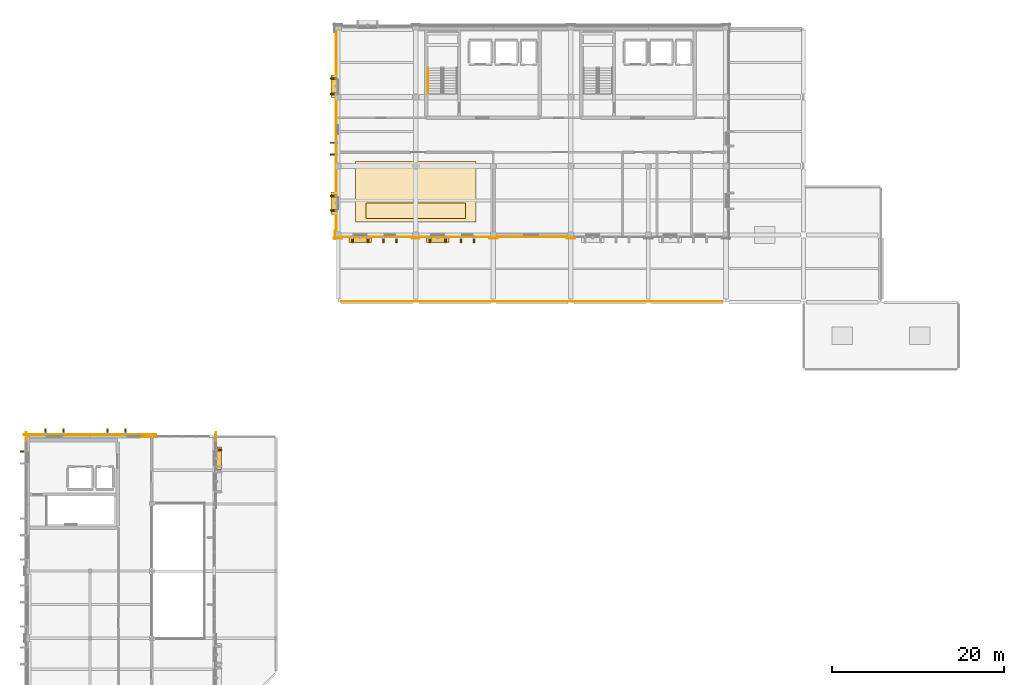
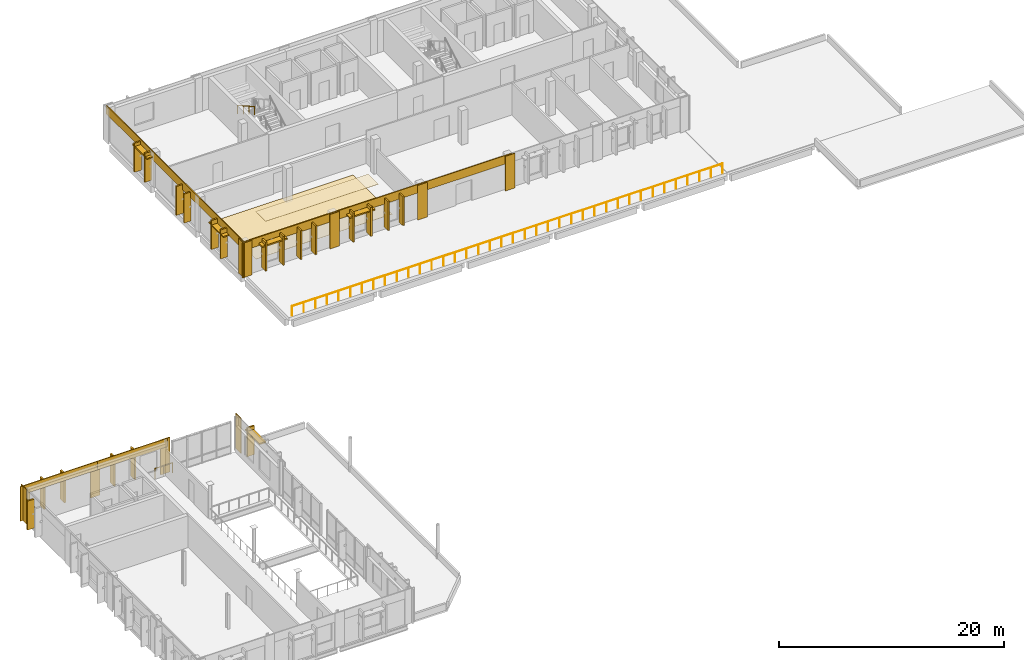
# One storey, part 19 of 23: 25 shading devices, 18 coverings, 3 railings.
"""IFC4 building model written with IfcOpenShell, lengths in metres."""

from ifc_helpers import new_model, si_unit, direction, frame, origin, origin_2d, place, context, subcontext, project, spatial, polyline, rectangle, circle, outline, extrude, material, layer, layer_set, type_object, element, save


model = new_model("IFC4")

# Units and contexts
model_context = context("Model", 3, precision=1e-05, world=origin(), true_north=direction((0.0, 1.0)))
body_context = subcontext(model_context, "Body", "Model", "MODEL_VIEW")
ifc_project = project(units=[si_unit("LENGTHUNIT", "METRE"), si_unit("AREAUNIT", "SQUARE_METRE"), si_unit("VOLUMEUNIT", "CUBIC_METRE"), si_unit("PLANEANGLEUNIT", "RADIAN"), si_unit("MASSUNIT", "GRAM", prefix="KILO")], contexts=[model_context])

# Site, building, storey
site_placement = place(None, origin())
site = spatial("IfcSite", under=ifc_project, at=site_placement, CompositionType="ELEMENT")
building_placement = place(site_placement, origin())
building = spatial("IfcBuilding", under=site, at=building_placement, Name="Vervanel Yard Central Library", CompositionType="ELEMENT")
storey_placement = place(building_placement, frame((0.0, 0.0, 16.52001953125)))
storey = spatial("IfcBuildingStorey", under=building, at=storey_placement, Name="L04", CompositionType="ELEMENT", Elevation=16.52001953125)

# Railing
ifc_material_1 = material(Name="Brushed stainless steel AISI 316", Category="steel")
railing_type_1 = type_object("IfcRailingType", Name="Brushed Stainless Stair Handrail 900", PredefinedType="HANDRAIL", material=ifc_material_1)
railing_1_placement = place(storey_placement, frame((46.43994140625, 109.39990234375, 2.0400390625)))
element("IfcRailing", 1, at=railing_1_placement, inside=storey, type_object=railing_type_1, Name="L04 ST-01 stair handrail 2", PredefinedType="HANDRAIL", context=body_context, shape_type="SweptSolid", body=[
    extrude(circle(Radius=0.02392578125, at=origin_2d()), frame((0.0, 0.0, 0.8759765625), z_axis=(0.0, -0.870028259722, 0.493001853226), x_axis=(1.0, 0.0, 0.0)), (0.0, 0.0, 1.0), 3.4482421875),
    extrude(circle(Radius=0.02099609375, at=origin_2d()), origin(), (0.0, 0.0, 1.0), 0.851806640625),
    extrude(circle(Radius=0.02099609375, at=origin_2d()), frame((0.0, -1.0, 0.566650390625)), (0.0, 0.0, 1.0), 0.851806640625),
    extrude(circle(Radius=0.02099609375, at=origin_2d()), frame((0.0, -2.0, 1.13330078125)), (0.0, 0.0, 1.0), 0.851806640625),
    extrude(circle(Radius=0.02099609375, at=origin_2d()), frame((0.0, -3.0, 1.699951171875)), (0.0, 0.0, 1.0), 0.851806640625),
])

# Coverings
ifc_material_2 = material(Name="Precast concrete C45/55", Category="concrete")
ifc_layer_1 = layer(ifc_material_2, 0.0849609375, Category="concrete")
ifc_layer_set_1 = layer_set([ifc_layer_1], Name="Precast concrete C45/55")
covering_type_1 = type_object("IfcCoveringType", Name="Bush-Hammered Precast Architectural Cladding Panel", PredefinedType="CLADDING", material=ifc_layer_set_1)
covering_1_placement = place(storey_placement, frame((40.5, 89.760009765625, 2.840087890625), z_axis=(0.0, 0.0, 1.0), x_axis=(1.0, 0.0, 0.0)))
element("IfcCovering", 2, at=covering_1_placement, inside=storey, type_object=covering_type_1, Name="L04 Precast Concrete Spandrel Cornice EWALL-L04-0065", PredefinedType="CLADDING", context=body_context, shape_type="SweptSolid", body=[
    extrude(rectangle(XDim=9.449951171875, YDim=0.0849609375, at=origin_2d()), origin(), (0.0, 0.0, 1.0), 0.919921875),
])
for number, where, z_axis, x_axis, name in (
    (3, (36.0, 89.632568359375, 0.0), (0.0, 0.0, 1.0), (1.0, 0.0, 0.0), "L04 Precast Concrete Pier Pilaster EWALL-L04-0065-A"),
    (4, (45.0, 89.632568359375, 0.0), (0.0, 0.0, 1.0), (1.0, 0.0, 0.0), "L04 Precast Concrete Pier Pilaster EWALL-L04-0065-B"),
):
    element("IfcCovering", number, at=place(storey_placement, frame(where, z_axis=z_axis, x_axis=x_axis)), inside=storey, type_object=covering_type_1, Name=name, PredefinedType="CLADDING", context=body_context, shape_type="SweptSolid", body=[
        extrude(rectangle(XDim=0.97998046875, YDim=0.0849609375, at=origin_2d()), origin(), (0.0, 0.0, 1.0), 3.760009765625),
    ])
covering_2_placement = place(storey_placement, frame((49.5, 89.760009765625, 2.840087890625), z_axis=(0.0, 0.0, 1.0), x_axis=(1.0, 0.0, 0.0)))
element("IfcCovering", 5, at=covering_2_placement, inside=storey, type_object=covering_type_1, Name="L04 Precast Concrete Spandrel Cornice EWALL-L04-0066", PredefinedType="CLADDING", context=body_context, shape_type="SweptSolid", body=[
    extrude(rectangle(XDim=9.449951171875, YDim=0.0849609375, at=origin_2d()), origin(), (0.0, 0.0, 1.0), 0.919921875),
])
covering_3_placement = place(storey_placement, frame((54.0, 89.632568359375, 0.0), z_axis=(0.0, 0.0, 1.0), x_axis=(1.0, 0.0, 0.0)))
element("IfcCovering", 6, at=covering_3_placement, inside=storey, type_object=covering_type_1, Name="L04 Precast Concrete Pier Pilaster EWALL-L04-0066-B", PredefinedType="CLADDING", context=body_context, shape_type="SweptSolid", body=[
    extrude(rectangle(XDim=0.97998046875, YDim=0.0849609375, at=origin_2d()), origin(), (0.0, 0.0, 1.0), 3.760009765625),
])
covering_4_placement = place(storey_placement, frame((58.5, 89.760009765625, 2.840087890625), z_axis=(0.0, 0.0, 1.0), x_axis=(1.0, 0.0, 0.0)))
element("IfcCovering", 7, at=covering_4_placement, inside=storey, type_object=covering_type_1, Name="L04 Precast Concrete Spandrel Cornice EWALL-L04-0067", PredefinedType="CLADDING", context=body_context, shape_type="SweptSolid", body=[
    extrude(rectangle(XDim=9.449951171875, YDim=0.0849609375, at=origin_2d()), origin(), (0.0, 0.0, 1.0), 0.919921875),
])
covering_5_placement = place(storey_placement, frame((63.0, 89.632568359375, 0.0), z_axis=(0.0, 0.0, 1.0), x_axis=(1.0, 0.0, 0.0)))
element("IfcCovering", 8, at=covering_5_placement, inside=storey, type_object=covering_type_1, Name="L04 Precast Concrete Pier Pilaster EWALL-L04-0067-B", PredefinedType="CLADDING", context=body_context, shape_type="SweptSolid", body=[
    extrude(rectangle(XDim=0.97998046875, YDim=0.0849609375, at=origin_2d()), origin(), (0.0, 0.0, 1.0), 3.760009765625),
])
covering_6_placement = place(storey_placement, frame((35.760009765625, 102.0, 2.840087890625), z_axis=(0.0, 0.0, 1.0), x_axis=(0.0, 1.0, 0.0)))
element("IfcCovering", 9, at=covering_6_placement, inside=storey, type_object=covering_type_1, Name="L04 Precast Concrete Spandrel Cornice EWALL-L04-0070", PredefinedType="CLADDING", context=body_context, shape_type="SweptSolid", body=[
    extrude(rectangle(XDim=24.449951171875, YDim=0.0849609375, at=origin_2d()), origin(), (0.0, 0.0, 1.0), 0.919921875),
])
for number, where, z_axis, x_axis, name in (
    (10, (35.632568359375, 90.0, 0.0), (0.0, 0.0, 1.0), (0.0, 1.0, 0.0), "L04 Precast Concrete Pier Pilaster EWALL-L04-0070-A"),
    (11, (-0.21240234375, 66.60009765625, 0.0), (0.0, 0.0, 1.0), (0.0, 1.0, 0.0), "L04 Precast Concrete Pier Pilaster EWALL-L04-0145-B"),
    (12, (21.8203125, 66.60009765625, 0.0), (0.0, 0.0, 1.0), (0.0, 1.0, 0.0), "L04 Precast Concrete Pier Pilaster EWALL-L04-0147-B"),
):
    element("IfcCovering", number, at=place(storey_placement, frame(where, z_axis=z_axis, x_axis=x_axis)), inside=storey, type_object=covering_type_1, Name=name, PredefinedType="CLADDING", context=body_context, shape_type="SweptSolid", body=[
        extrude(rectangle(XDim=0.97998046875, YDim=0.0849609375, at=origin_2d()), origin(), (0.0, 0.0, 1.0), 3.760009765625),
    ])
covering_7_placement = place(storey_placement, frame((3.60009765625, 66.81005859375, 2.840087890625), z_axis=(0.0, 0.0, 1.0), x_axis=(1.0, 0.0, 0.0)))
element("IfcCovering", 13, at=covering_7_placement, inside=storey, type_object=covering_type_1, Name="L04 Precast Concrete Spandrel Cornice EWALL-L04-0148", PredefinedType="CLADDING", context=body_context, shape_type="SweptSolid", body=[
    extrude(rectangle(XDim=7.64990234375, YDim=0.0849609375, at=origin_2d()), origin(), (0.0, 0.0, 1.0), 0.919921875),
])
for number, where, z_axis, x_axis, name in (
    (14, (0.0, 66.8125, 0.0), (0.0, 0.0, 1.0), (1.0, 0.0, 0.0), "L04 Precast Concrete Pier Pilaster EWALL-L04-0148-A"),
    (15, (7.199951171875, 66.8125, 0.0), (0.0, 0.0, 1.0), (1.0, 0.0, 0.0), "L04 Precast Concrete Pier Pilaster EWALL-L04-0148-B"),
):
    element("IfcCovering", number, at=place(storey_placement, frame(where, z_axis=z_axis, x_axis=x_axis)), inside=storey, type_object=covering_type_1, Name=name, PredefinedType="CLADDING", context=body_context, shape_type="SweptSolid", body=[
        extrude(rectangle(XDim=0.97998046875, YDim=0.0849609375, at=origin_2d()), origin(), (0.0, 0.0, 1.0), 3.760009765625),
    ])
covering_8_placement = place(storey_placement, frame((10.800048828125, 66.81005859375, 2.840087890625), z_axis=(0.0, 0.0, 1.0), x_axis=(1.0, 0.0, 0.0)))
element("IfcCovering", 16, at=covering_8_placement, inside=storey, type_object=covering_type_1, Name="L04 Precast Concrete Spandrel Cornice EWALL-L04-0150", PredefinedType="CLADDING", context=body_context, shape_type="SweptSolid", body=[
    extrude(rectangle(XDim=7.64990234375, YDim=0.0849609375, at=origin_2d()), origin(), (0.0, 0.0, 1.0), 0.919921875),
])
covering_9_placement = place(storey_placement, frame((14.39990234375, 66.8203125, 0.0), z_axis=(0.0, 0.0, 1.0), x_axis=(1.0, 0.0, 0.0)))
element("IfcCovering", 17, at=covering_9_placement, inside=storey, type_object=covering_type_1, Name="L04 Precast Concrete Pier Pilaster EWALL-L04-0150-B", PredefinedType="CLADDING", context=body_context, shape_type="SweptSolid", body=[
    extrude(rectangle(XDim=0.97998046875, YDim=0.0849609375, at=origin_2d()), origin(), (0.0, 0.0, 1.0), 3.760009765625),
])

# Railings
railing_type_2 = type_object("IfcRailingType", Name="Exterior Terrace Guardrail 1100", PredefinedType="GUARDRAIL", material=ifc_material_1)
railing_2_placement = place(storey_placement, frame((36.3798828125, 82.280029296875, 0.0)))
element("IfcRailing", 18, at=railing_2_placement, inside=storey, type_object=railing_type_2, Name="L04 L04 Scholars Court Overlook Roof Terrace Edge Guard 33", PredefinedType="GUARDRAIL", context=body_context, shape_type="SweptSolid", body=[
    extrude(circle(Radius=0.02392578125, at=origin_2d()), frame((0.0, 0.0, 1.076171875), z_axis=(1.0, 0.0, 0.0), x_axis=(0.0, 1.0, 0.0)), (0.0, 0.0, 1.0), 44.240234375),
    extrude(circle(Radius=0.02099609375, at=origin_2d()), origin(), (0.0, 0.0, 1.0), 1.052001953125),
    extrude(circle(Radius=0.02099609375, at=origin_2d()), frame((1.19580078125, 0.0, 0.0)), (0.0, 0.0, 1.0), 1.052001953125),
    extrude(circle(Radius=0.02099609375, at=origin_2d()), frame((2.391357421875, 0.0, 0.0)), (0.0, 0.0, 1.0), 1.052001953125),
    extrude(circle(Radius=0.02099609375, at=origin_2d()), frame((3.587158203125, 0.0, 0.0)), (0.0, 0.0, 1.0), 1.052001953125),
    extrude(circle(Radius=0.02099609375, at=origin_2d()), frame((4.78271484375, 0.0, 0.0)), (0.0, 0.0, 1.0), 1.052001953125),
    extrude(circle(Radius=0.02099609375, at=origin_2d()), frame((5.978515625, 0.0, 0.0)), (0.0, 0.0, 1.0), 1.052001953125),
    extrude(circle(Radius=0.02099609375, at=origin_2d()), frame((7.174072265625, 0.0, 0.0)), (0.0, 0.0, 1.0), 1.052001953125),
    extrude(circle(Radius=0.02099609375, at=origin_2d()), frame((8.369873046875, 0.0, 0.0)), (0.0, 0.0, 1.0), 1.052001953125),
    extrude(circle(Radius=0.02099609375, at=origin_2d()), frame((9.5654296875, 0.0, 0.0)), (0.0, 0.0, 1.0), 1.052001953125),
    extrude(circle(Radius=0.02099609375, at=origin_2d()), frame((10.76123046875, 0.0, 0.0)), (0.0, 0.0, 1.0), 1.052001953125),
    extrude(circle(Radius=0.02099609375, at=origin_2d()), frame((11.956787109375, 0.0, 0.0)), (0.0, 0.0, 1.0), 1.052001953125),
    extrude(circle(Radius=0.02099609375, at=origin_2d()), frame((13.152587890625, 0.0, 0.0)), (0.0, 0.0, 1.0), 1.052001953125),
    extrude(circle(Radius=0.02099609375, at=origin_2d()), frame((14.34814453125, 0.0, 0.0)), (0.0, 0.0, 1.0), 1.052001953125),
    extrude(circle(Radius=0.02099609375, at=origin_2d()), frame((15.5439453125, 0.0, 0.0)), (0.0, 0.0, 1.0), 1.052001953125),
    extrude(circle(Radius=0.02099609375, at=origin_2d()), frame((16.739501953125, 0.0, 0.0)), (0.0, 0.0, 1.0), 1.052001953125),
    extrude(circle(Radius=0.02099609375, at=origin_2d()), frame((17.935302734375, 0.0, 0.0)), (0.0, 0.0, 1.0), 1.052001953125),
    extrude(circle(Radius=0.02099609375, at=origin_2d()), frame((19.130859375, 0.0, 0.0)), (0.0, 0.0, 1.0), 1.052001953125),
    extrude(circle(Radius=0.02099609375, at=origin_2d()), frame((20.32666015625, 0.0, 0.0)), (0.0, 0.0, 1.0), 1.052001953125),
    extrude(circle(Radius=0.02099609375, at=origin_2d()), frame((21.522216796875, 0.0, 0.0)), (0.0, 0.0, 1.0), 1.052001953125),
    extrude(circle(Radius=0.02099609375, at=origin_2d()), frame((22.718017578125, 0.0, 0.0)), (0.0, 0.0, 1.0), 1.052001953125),
    extrude(circle(Radius=0.02099609375, at=origin_2d()), frame((23.91357421875, 0.0, 0.0)), (0.0, 0.0, 1.0), 1.052001953125),
    extrude(circle(Radius=0.02099609375, at=origin_2d()), frame((25.109375, 0.0, 0.0)), (0.0, 0.0, 1.0), 1.052001953125),
    extrude(circle(Radius=0.02099609375, at=origin_2d()), frame((26.304931640625, 0.0, 0.0)), (0.0, 0.0, 1.0), 1.052001953125),
    extrude(circle(Radius=0.02099609375, at=origin_2d()), frame((27.500732421875, 0.0, 0.0)), (0.0, 0.0, 1.0), 1.052001953125),
    extrude(circle(Radius=0.02099609375, at=origin_2d()), frame((28.6962890625, 0.0, 0.0)), (0.0, 0.0, 1.0), 1.052001953125),
    extrude(circle(Radius=0.02099609375, at=origin_2d()), frame((29.89208984375, 0.0, 0.0)), (0.0, 0.0, 1.0), 1.052001953125),
    extrude(circle(Radius=0.02099609375, at=origin_2d()), frame((31.087646484375, 0.0, 0.0)), (0.0, 0.0, 1.0), 1.052001953125),
    extrude(circle(Radius=0.02099609375, at=origin_2d()), frame((32.283447265625, 0.0, 0.0)), (0.0, 0.0, 1.0), 1.052001953125),
    extrude(circle(Radius=0.02099609375, at=origin_2d()), frame((33.47900390625, 0.0, 0.0)), (0.0, 0.0, 1.0), 1.052001953125),
    extrude(circle(Radius=0.02099609375, at=origin_2d()), frame((34.6748046875, 0.0, 0.0)), (0.0, 0.0, 1.0), 1.052001953125),
    extrude(circle(Radius=0.02099609375, at=origin_2d()), frame((35.870361328125, 0.0, 0.0)), (0.0, 0.0, 1.0), 1.052001953125),
    extrude(circle(Radius=0.02099609375, at=origin_2d()), frame((37.066162109375, 0.0, 0.0)), (0.0, 0.0, 1.0), 1.052001953125),
    extrude(circle(Radius=0.02099609375, at=origin_2d()), frame((38.26171875, 0.0, 0.0)), (0.0, 0.0, 1.0), 1.052001953125),
    extrude(circle(Radius=0.02099609375, at=origin_2d()), frame((39.45751953125, 0.0, 0.0)), (0.0, 0.0, 1.0), 1.052001953125),
    extrude(circle(Radius=0.02099609375, at=origin_2d()), frame((40.653076171875, 0.0, 0.0)), (0.0, 0.0, 1.0), 1.052001953125),
    extrude(circle(Radius=0.02099609375, at=origin_2d()), frame((41.848876953125, 0.0, 0.0)), (0.0, 0.0, 1.0), 1.052001953125),
    extrude(circle(Radius=0.02099609375, at=origin_2d()), frame((43.04443359375, 0.0, 0.0)), (0.0, 0.0, 1.0), 1.052001953125),
    extrude(circle(Radius=0.02099609375, at=origin_2d()), frame((44.240234375, 0.0, 0.0)), (0.0, 0.0, 1.0), 1.052001953125),
])
railing_type_3 = type_object("IfcRailingType", Name="Glazed Atrium & Gallery Balustrade 1120", PredefinedType="BALUSTRADE", material=ifc_material_1)
railing_3_placement = place(storey_placement, frame((13.199951171875, 66.5400390625, 0.0)))
element("IfcRailing", 19, at=railing_3_placement, inside=storey, type_object=railing_type_3, Name="L04 Perimeter Gap Guard V2-L04-N-GAP1", PredefinedType="BALUSTRADE", context=body_context, shape_type="SweptSolid", body=[
    extrude(circle(Radius=0.02392578125, at=origin_2d()), frame((0.0, 0.0, 1.09619140625), z_axis=(1.0, 0.0, 0.0), x_axis=(0.0, 1.0, 0.0)), (0.0, 0.0, 1.0), 1.800048828125),
    extrude(circle(Radius=0.02099609375, at=origin_2d()), origin(), (0.0, 0.0, 1.0), 1.072021484375),
    extrude(circle(Radius=0.02099609375, at=origin_2d()), frame((0.89990234375, 0.0, 0.0)), (0.0, 0.0, 1.0), 1.072021484375),
    extrude(circle(Radius=0.02099609375, at=origin_2d()), frame((1.800048828125, 0.0, 0.0)), (0.0, 0.0, 1.0), 1.072021484375),
])

# Shading devices
shading_device_type_1 = type_object("IfcShadingDeviceType", Name="Horizontal Precast Brise-Soleil Sunhood 2600x680x140", PredefinedType="JALOUSIE", material=ifc_material_2)
for number, where, z_axis, x_axis, name in (
    (20, (38.550048828125, 89.4599609375, 2.97998046875), (0.0, 0.0, 1.0), (1.0, 0.0, 0.0), "L04 Precast Horizontal Sunhood 26"),
    (21, (47.550048828125, 89.4599609375, 2.97998046875), (0.0, 0.0, 1.0), (1.0, 0.0, 0.0), "L04 Precast Horizontal Sunhood 27"),
    (22, (35.47998046875, 93.675048828125, 2.830078125), (0.0, 0.0, 1.0), (0.0, 1.0, 0.0), "L04 Precast Horizontal Sunhood 30"),
    (23, (35.47998046875, 107.25, 3.080078125), (0.0, 0.0, 1.0), (0.0, 1.0, 0.0), "L04 Precast Horizontal Sunhood 31"),
    (24, (22.1201171875, 64.10009765625, 2.93017578125), (0.0, 0.0, 1.0), (0.0, 1.0, 0.0), "L04 Precast Horizontal Sunhood 90"),
):
    element("IfcShadingDevice", number, at=place(storey_placement, frame(where, z_axis=z_axis, x_axis=x_axis)), inside=storey, type_object=shading_device_type_1, Name=name, PredefinedType="JALOUSIE", context=body_context, shape_type="SweptSolid", body=[
        extrude(rectangle(XDim=2.60009765625, YDim=0.679931640625, at=origin_2d()), origin(), (0.0, 0.0, 1.0), 0.139892578125),
    ])

# Coverings
ifc_material_3 = material(Name="Polished river-stone terrazzo flooring", Category="masonry")
ifc_layer_2 = layer(ifc_material_3, 0.02490234375, Category="masonry")
ifc_layer_set_2 = layer_set([ifc_layer_2], Name="Polished river-stone terrazzo flooring")
covering_type_2 = type_object("IfcCoveringType", Name="Polished River-Stone Terrazzo Flooring 25", PredefinedType="FLOORING", material=ifc_layer_set_2)
covering_10_placement = place(storey_placement, origin())
element("IfcCovering", 25, at=covering_10_placement, inside=storey, type_object=covering_type_2, Name="L04 Terrazzo Flooring Bay 13", PredefinedType="FLOORING", context=body_context, shape_type="SweptSolid", body=[
    extrude(outline(polyline([(38.0, 91.5), (52.0, 91.5), (52.0, 98.5), (38.0, 98.5), (38.0, 91.5)])), origin(), (0.0, 0.0, 1.0), 0.02490234375),
])
ifc_material_4 = material(Name="Perforated mineral-fibre acoustic ceiling", Category="gypsum")
ifc_layer_3 = layer(ifc_material_4, 0.034912109375, Category="gypsum")
ifc_layer_set_3 = layer_set([ifc_layer_3], Name="Perforated mineral-fibre acoustic ceiling")
covering_type_3 = type_object("IfcCoveringType", Name="Suspended Mineral Acoustic Ceiling 35", PredefinedType="CEILING", material=ifc_layer_set_3)
covering_11_placement = place(storey_placement, frame((0.0, 0.0, 3.425048828125)))
element("IfcCovering", 26, at=covering_11_placement, inside=storey, type_object=covering_type_3, Name="L04 Acoustic Ceiling Bay 13", PredefinedType="CEILING", context=body_context, shape_type="SweptSolid", body=[
    extrude(outline(polyline([(39.199951171875, 91.89990234375), (50.800048828125, 91.89990234375), (50.800048828125, 93.699951171875), (39.199951171875, 93.699951171875), (39.199951171875, 91.89990234375)])), origin(), (0.0, 0.0, 1.0), 0.034912109375),
])

# Shading devices
shading_device_type_2 = type_object("IfcShadingDeviceType", Name="Vertical Precast Solar Fin 160x720x3200", PredefinedType="JALOUSIE", material=ifc_material_2)
for number, where, z_axis, x_axis, name in (
    (27, (37.639892578125, 89.429931640625, 0.330078125), (0.0, 0.0, 1.0), (1.0, 0.0, 0.0), "L04 Precast Solar Fin 179"),
    (28, (39.4599609375, 89.429931640625, 0.330078125), (0.0, 0.0, 1.0), (1.0, 0.0, 0.0), "L04 Precast Solar Fin 180"),
    (29, (41.239990234375, 89.429931640625, 0.330078125), (0.0, 0.0, 1.0), (1.0, 0.0, 0.0), "L04 Precast Solar Fin 181"),
    (30, (42.760009765625, 89.429931640625, 0.330078125), (0.0, 0.0, 1.0), (1.0, 0.0, 0.0), "L04 Precast Solar Fin 182"),
    (31, (46.639892578125, 89.429931640625, 0.330078125), (0.0, 0.0, 1.0), (1.0, 0.0, 0.0), "L04 Precast Solar Fin 183"),
    (32, (48.4599609375, 89.429931640625, 0.330078125), (0.0, 0.0, 1.0), (1.0, 0.0, 0.0), "L04 Precast Solar Fin 184"),
    (33, (50.239990234375, 89.429931640625, 0.330078125), (0.0, 0.0, 1.0), (1.0, 0.0, 0.0), "L04 Precast Solar Fin 185"),
    (34, (51.760009765625, 89.429931640625, 0.330078125), (0.0, 0.0, 1.0), (1.0, 0.0, 0.0), "L04 Precast Solar Fin 186"),
    (35, (35.449951171875, 92.840087890625, 0.30517578125), (0.0, 0.0, 1.0), (0.0, 1.0, 0.0), "L04 Precast Solar Fin 195"),
    (36, (35.449951171875, 94.510009765625, 0.30517578125), (0.0, 0.0, 1.0), (0.0, 1.0, 0.0), "L04 Precast Solar Fin 196"),
    (37, (35.449951171875, 99.340087890625, 0.2548828125), (0.0, 0.0, 1.0), (0.0, 1.0, 0.0), "L04 Precast Solar Fin 197"),
    (38, (35.449951171875, 100.7099609375, 0.2548828125), (0.0, 0.0, 1.0), (0.0, 1.0, 0.0), "L04 Precast Solar Fin 198"),
    (39, (35.449951171875, 106.340087890625, 0.43017578125), (0.0, 0.0, 1.0), (0.0, 1.0, 0.0), "L04 Precast Solar Fin 199"),
    (40, (35.449951171875, 108.159912109375, 0.43017578125), (0.0, 0.0, 1.0), (0.0, 1.0, 0.0), "L04 Precast Solar Fin 200"),
    (41, (-0.570068359375, 64.860107421875, 0.4052734375), (0.0, 0.0, 1.0), (0.0, 1.0, 0.0), "L04 Precast Solar Fin 408"),
    (42, (22.14990234375, 65.06005859375, 0.30517578125), (0.0, 0.0, 1.0), (0.0, 1.0, 0.0), "L04 Precast Solar Fin 418"),
    (43, (2.0400390625, 67.169921875, 0.4052734375), (0.0, 0.0, 1.0), (1.0, 0.0, 0.0), "L04 Precast Solar Fin 419"),
    (44, (4.110107421875, 67.169921875, 0.4052734375), (0.0, 0.0, 1.0), (1.0, 0.0, 0.0), "L04 Precast Solar Fin 420"),
    (45, (9.239990234375, 67.169921875, 0.4052734375), (0.0, 0.0, 1.0), (1.0, 0.0, 0.0), "L04 Precast Solar Fin 423"),
    (46, (11.31005859375, 67.169921875, 0.4052734375), (0.0, 0.0, 1.0), (1.0, 0.0, 0.0), "L04 Precast Solar Fin 424"),
):
    element("IfcShadingDevice", number, at=place(storey_placement, frame(where, z_axis=z_axis, x_axis=x_axis)), inside=storey, type_object=shading_device_type_2, Name=name, PredefinedType="JALOUSIE", context=body_context, shape_type="SweptSolid", body=[
        extrude(rectangle(XDim=0.159912109375, YDim=0.719970703125, at=origin_2d()), origin(), (0.0, 0.0, 1.0), 3.139892578125),
    ])

save(model, "model.ifc")
